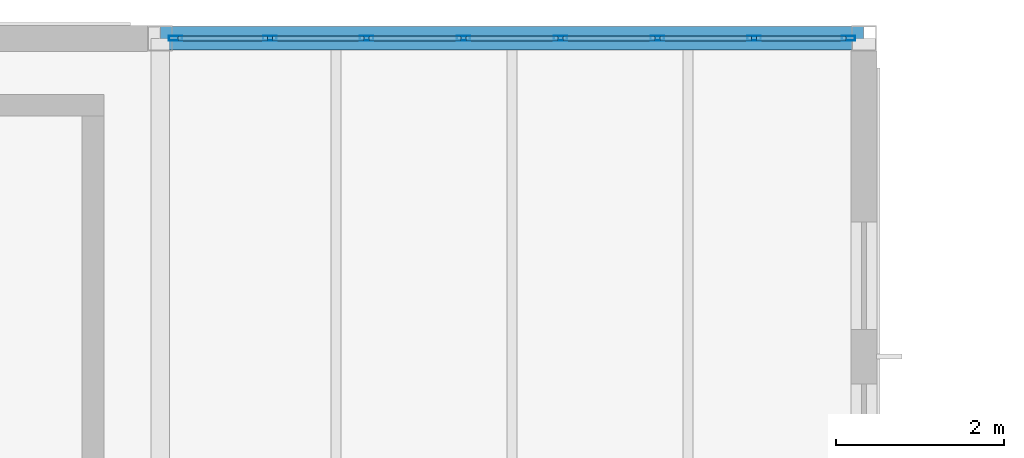
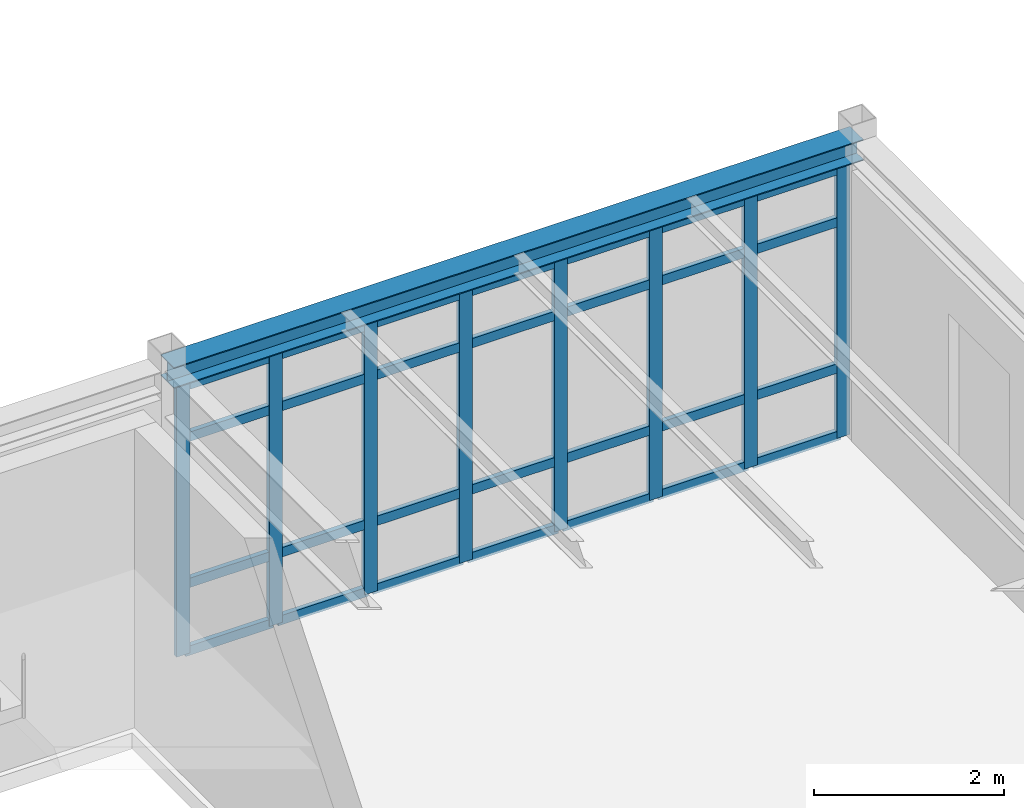
# One storey, part 94 of 165: 36 members, 1 beam, 1 element without a shape of its own.
"""IFC4 building model written with IfcOpenShell, lengths in metres."""

import ifcopenshell
import ifcopenshell.guid

model = None  # the IFC model being written
_history = None  # IfcOwnerHistory: only IFC2X3 demands one
_inside = {}  # id of a spatial element -> (the spatial element, [elements in it])
_under = {}  # id of a project, library or spatial element -> (it, [spatial elements below it])
_declared = {}  # id of a project -> (the project, [libraries it declares])
_typed = {}  # id of a type object -> (the type object, [elements of that type])
_made_of = {}  # id of a material, layer set ... -> (it, [elements and type objects made of it])


def new_model(schema):
    """Start an empty IFC model of exactly this schema.

    Asked for "IFC4X3", IfcOpenShell would pick the latest addendum, in which some entities
    have other attributes; the version numbers below select the first issue.
    IFC2X3 requires an IfcOwnerHistory on every rooted entity: one is made here for all.
    """
    global model, _history
    if schema == "IFC4X3":
        model = ifcopenshell.file(schema_version=(4, 3, 0, 0))
    else:
        model = ifcopenshell.file(schema=schema)
    _inside.clear()
    _under.clear()
    _declared.clear()
    _typed.clear()
    _made_of.clear()
    _history = None
    if model.schema == "IFC2X3":
        org = make("IfcOrganization", Name="unknown")
        user = make(
            "IfcPersonAndOrganization",
            ThePerson=make("IfcPerson", FamilyName="unknown"),
            TheOrganization=org,
        )
        app = make(
            "IfcApplication",
            ApplicationDeveloper=org,
            Version="unknown",
            ApplicationFullName="unknown",
            ApplicationIdentifier="unknown",
        )
        _history = make(
            "IfcOwnerHistory",
            OwningUser=user,
            OwningApplication=app,
            ChangeAction="ADDED",
            CreationDate=0,
        )
    return model


def make(cls, **values):
    """One entity of the class cls with the attributes given. An attribute that is None is left unset."""
    return model.create_entity(
        cls, **{name: value for name, value in values.items() if value is not None}
    )


def rooted(cls, **values):
    """An entity with a GlobalId (a new one), such as an element, a storey or a relation."""
    return make(cls, GlobalId=ifcopenshell.guid.new(), OwnerHistory=_history, **values)


def si_unit(unit_type, name, prefix=None):
    """IfcSIUnit, for example si_unit("LENGTHUNIT", "METRE", prefix="MILLI")."""
    return make("IfcSIUnit", UnitType=unit_type, Prefix=prefix, Name=name)


def assignment(units):
    """IfcUnitAssignment: the units of a project."""
    return None if units is None else make("IfcUnitAssignment", Units=units)


def point(xyz):
    """IfcCartesianPoint."""
    return None if xyz is None else make("IfcCartesianPoint", Coordinates=xyz)


def direction(xyz):
    """IfcDirection."""
    return None if xyz is None else make("IfcDirection", DirectionRatios=xyz)


def frame(location, z_axis=None, x_axis=None):
    """IfcAxis2Placement3D, a coordinate frame: its origin and axes. An axis left out is left unset."""
    return make(
        "IfcAxis2Placement3D",
        Location=point(location),
        Axis=direction(z_axis),
        RefDirection=direction(x_axis),
    )


def frame_2d(location, x_axis=None):
    """IfcAxis2Placement2D, a coordinate frame in the plane: its origin and x axis."""
    return make(
        "IfcAxis2Placement2D", Location=point(location), RefDirection=direction(x_axis)
    )


def origin():
    """The frame at (0, 0, 0) with its axes left unset."""
    return frame((0.0, 0.0, 0.0))


def origin_2d():
    """The frame at (0, 0) in the plane with its x axis left unset."""
    return frame_2d((0.0, 0.0))


def place(relative_to, where):
    """IfcLocalPlacement: puts the frame where relative to a parent placement (None: the world)."""
    return make(
        "IfcLocalPlacement", PlacementRelTo=relative_to, RelativePlacement=where
    )


def context(
    kind, dimensions, precision=None, world=None, true_north=None, identifier=None
):
    """IfcGeometricRepresentationContext, for example the 3D "Model" context."""
    return make(
        "IfcGeometricRepresentationContext",
        ContextIdentifier=identifier,
        ContextType=kind,
        CoordinateSpaceDimension=dimensions,
        Precision=precision,
        WorldCoordinateSystem=world,
        TrueNorth=true_north,
    )


def subcontext(parent, identifier, kind, view, scale=None):
    """IfcGeometricRepresentationSubContext, for example "Body" below "Model"."""
    return make(
        "IfcGeometricRepresentationSubContext",
        ContextIdentifier=identifier,
        ContextType=kind,
        ParentContext=parent,
        TargetScale=scale,
        TargetView=view,
    )


def project(units=None, contexts=None):
    """IfcProject with its units and contexts."""
    return rooted(
        "IfcProject",
        Name="project",
        RepresentationContexts=contexts,
        UnitsInContext=assignment(units),
    )


def spatial(cls, under=None, at=None, **own):
    """A site, building, storey or space (cls), placed at a placement, below another one or the project."""
    s = rooted(cls, ObjectPlacement=at, **own)
    if under is not None:
        _under.setdefault(under.id(), (under, []))[1].append(s)
    return s


def profile(cls, at=None, kind="AREA", **sizes):
    """A parametric profile (cls). Its sizes go by their IFC names, for example OverallWidth=200.0."""
    return make(cls, ProfileType=kind, Position=at, **sizes)


def hollow_rectangle(**sizes):
    """IfcRectangleHollowProfileDef."""
    return profile("IfcRectangleHollowProfileDef", **sizes)


def i_section(**sizes):
    """IfcIShapeProfileDef."""
    return profile("IfcIShapeProfileDef", **sizes)


def extrude(swept, where, along, depth):
    """IfcExtrudedAreaSolid: the profile swept, set in the frame where, extruded along a direction by depth."""
    return make(
        "IfcExtrudedAreaSolid",
        SweptArea=swept,
        Position=where,
        ExtrudedDirection=direction(along),
        Depth=depth,
    )


def shape(context_of_items, identifier, shape_type, items):
    """IfcShapeRepresentation: the items that make up one representation, for example the "Body"."""
    return make(
        "IfcShapeRepresentation",
        ContextOfItems=context_of_items,
        RepresentationIdentifier=identifier,
        RepresentationType=shape_type,
        Items=items,
    )


def material(Name=None, Category=None):
    """IfcMaterial."""
    return make("IfcMaterial", Name=Name, Category=Category)


def layer(
    of_material, thickness, ventilated=None, Name=None, Category=None, Priority=None
):
    """IfcMaterialLayer: one layer of a wall or slab, of a material (None: an air gap)."""
    return make(
        "IfcMaterialLayer",
        Material=of_material,
        LayerThickness=thickness,
        IsVentilated=ventilated,
        Name=Name,
        Category=Category,
        Priority=Priority,
    )


def layer_set(layers, Name=None):
    """IfcMaterialLayerSet."""
    return make("IfcMaterialLayerSet", MaterialLayers=layers, LayerSetName=Name)


def material_profile(
    of_material, cross_section, Name=None, Category=None, Priority=None
):
    """IfcMaterialProfile: a cross section and its material."""
    return make(
        "IfcMaterialProfile",
        Name=Name,
        Material=of_material,
        Profile=cross_section,
        Priority=Priority,
        Category=Category,
    )


def profile_set(profiles, Name=None, composite=None):
    """IfcMaterialProfileSet."""
    return make(
        "IfcMaterialProfileSet",
        Name=Name,
        MaterialProfiles=profiles,
        CompositeProfile=composite,
    )


def made_of(thing, what):
    """Note that an element or type object is made of a material, layer set ...; save() writes the relation."""
    if what is not None:
        _made_of.setdefault(what.id(), (what, []))[1].append(thing)
    return thing


def type_object(cls, material=None, **own):
    """A type object (cls), such as IfcWallType, which elements share."""
    return made_of(rooted(cls, **own), material)


def element(
    cls,
    number,
    at=None,
    inside=None,
    cuts=None,
    type_object=None,
    material=None,
    context=None,
    identifier="Body",
    shape_type=None,
    held_by="IfcProductDefinitionShape",
    body=None,
    shapes=None,
    **own,
):
    """One element of the class cls, such as IfcWall. Its Tag is "e" and its number.

    at: its placement. inside: the storey or other place that contains it. cuts: it is an
    opening in that element (IfcRelVoidsElement). A single representation is given by context,
    identifier, shape_type and body (its items); several are given by shapes. held_by: the class
    of the entity that holds the representations. save() writes the other relations.
    """
    e = rooted(cls, Tag="e%d" % number, ObjectPlacement=at, **own)
    if body is not None:
        shapes = [shape(context, identifier, shape_type, body)]
    if shapes is not None:
        e.Representation = make(held_by, Representations=shapes)
    if inside is not None:
        _inside.setdefault(inside.id(), (inside, []))[1].append(e)
    if cuts is not None:
        rooted(
            "IfcRelVoidsElement", RelatingBuildingElement=cuts, RelatedOpeningElement=e
        )
    if type_object is not None:
        _typed.setdefault(type_object.id(), (type_object, []))[1].append(e)
    return made_of(e, material)


def aggregate(whole, parts):
    """IfcRelAggregates: a whole, such as a stair, and the parts it consists of."""
    return rooted("IfcRelAggregates", RelatingObject=whole, RelatedObjects=parts)


def save(model, path):
    """Write the relations noted so far, then the file.

    IfcRelAggregates (storeys below a building ...), IfcRelContainedInSpatialStructure (elements
    in a storey), IfcRelDefinesByType, IfcRelAssociatesMaterial and IfcRelDeclares: one each for
    every whole, place, type object, material and project.
    """
    for whole, parts in _under.values():
        aggregate(whole, parts)
    for where, things in _inside.values():
        rooted(
            "IfcRelContainedInSpatialStructure",
            RelatedElements=things,
            RelatingStructure=where,
        )
    for kind, things in _typed.values():
        rooted("IfcRelDefinesByType", RelatedObjects=things, RelatingType=kind)
    for what, things in _made_of.values():
        rooted("IfcRelAssociatesMaterial", RelatedObjects=things, RelatingMaterial=what)
    for by, libraries in _declared.values():
        rooted("IfcRelDeclares", RelatingContext=by, RelatedDefinitions=libraries)
    model.write(path)


model = new_model("IFC4")

# Units and contexts
model_context = context("Model", 3, precision=1e-05, world=origin(), true_north=direction((0.0, 1.0)))
body_context = subcontext(model_context, "Body", "Model", "MODEL_VIEW")
ifc_project = project(units=[si_unit("LENGTHUNIT", "METRE"), si_unit("AREAUNIT", "SQUARE_METRE"), si_unit("VOLUMEUNIT", "CUBIC_METRE"), si_unit("PLANEANGLEUNIT", "RADIAN"), si_unit("MASSUNIT", "GRAM", prefix="KILO")], contexts=[model_context])

# Site, building, storey
site_placement = place(None, origin())
site = spatial("IfcSite", under=ifc_project, at=site_placement, CompositionType="ELEMENT")
building_placement = place(site_placement, origin())
building = spatial("IfcBuilding", under=site, at=building_placement, Name="Montecoro Central Library", CompositionType="ELEMENT")
storey_placement = place(building_placement, frame((0.0, 0.0, 5.10009765625)))
storey = spatial("IfcBuildingStorey", under=building, at=storey_placement, Name="L01", CompositionType="ELEMENT", Elevation=5.10009765625)

# Beam
ifc_material_1 = material(Name="Steel S355", Category="steel")
ifc_material_profile_1 = material_profile(ifc_material_1, i_section(OverallWidth=0.280029296875, OverallDepth=0.27001953125, WebThickness=0.008056640625, FlangeThickness=0.012939453125, at=origin_2d()), Name="HEA 280")
ifc_profile_set_1 = profile_set([ifc_material_profile_1], Name="Steel S355")
beam_type = type_object("IfcBeamType", Name="BM-SP-HEA280", PredefinedType="SPANDREL", material=ifc_profile_set_1)
beam_placement = place(storey_placement, frame((108.405029296875, 119.0, 3.68994140625), z_axis=(1.0, 0.0, 0.0), x_axis=(0.0, 1.0, 0.0)))
element("IfcBeam", 1, at=beam_placement, inside=storey, type_object=beam_type, Name="V2-L01-BX-1415-R", PredefinedType="SPANDREL", context=body_context, shape_type="SweptSolid", body=[
    extrude(i_section(OverallWidth=0.280029296875, OverallDepth=0.27001953125, WebThickness=0.008056640625, FlangeThickness=0.012939453125, at=origin_2d()), origin(), (0.0, 0.0, 1.0), 8.389892578125),
])

# Curtain wall, members
ifc_material_2 = material(Name="Bronze-anodised aluminium and low-E glazing", Category="aluminium")
ifc_layer = layer(ifc_material_2, 0.159912109375)
ifc_layer_set = layer_set([ifc_layer], Name="Bronze-anodised aluminium and low-E glazing")
curtain_wall_type = type_object("IfcCurtainWallType", Name="CWT-012", PredefinedType="NOTDEFINED", material=ifc_layer_set)
curtain_wall_placement = place(storey_placement, origin())
curtain_wall = element("IfcCurtainWall", 2, at=curtain_wall_placement, inside=storey, type_object=curtain_wall_type, Name="V2-L01-CW-N5", PredefinedType="NOTDEFINED")
ifc_material_3 = material(Name="Bronze-anodised aluminium", Category="aluminium")
ifc_material_profile_2 = material_profile(ifc_material_3, hollow_rectangle(XDim=0.06005859375, YDim=0.159912109375, WallThickness=0.00390625, at=origin_2d()), Name="CWM 160x60x4.0")
ifc_profile_set_2 = profile_set([ifc_material_profile_2], Name="Bronze-anodised aluminium")
member_type_1 = type_object("IfcMemberType", Name="CWM-BRZ-60", PredefinedType="MULLION", material=ifc_profile_set_2)
member_1_placement = place(storey_placement, frame((116.616943359375, 119.0, 0.0), z_axis=(0.0, 0.0, 1.0), x_axis=(0.0, -1.0, 0.0)))
member_1 = element("IfcMember", 3, at=member_1_placement, type_object=member_type_1, Name="CW-012 mullion 1", PredefinedType="MULLION", context=body_context, shape_type="SweptSolid", body=[
    extrude(hollow_rectangle(XDim=0.06005859375, YDim=0.159912109375, WallThickness=0.00390625, at=origin_2d()), origin(), (0.0, 0.0, 1.0), 3.47998046875),
])
member_2_placement = place(storey_placement, frame((115.49072265625, 119.0, 0.0), z_axis=(0.0, 0.0, 1.0), x_axis=(0.0, -1.0, 0.0)))
member_2 = element("IfcMember", 4, at=member_2_placement, type_object=member_type_1, Name="CW-012 mullion 2", PredefinedType="MULLION", context=body_context, shape_type="SweptSolid", body=[
    extrude(hollow_rectangle(XDim=0.06005859375, YDim=0.159912109375, WallThickness=0.00390625, at=origin_2d()), origin(), (0.0, 0.0, 1.0), 3.47998046875),
])
member_3_placement = place(storey_placement, frame((114.33447265625, 119.0, 0.0), z_axis=(0.0, 0.0, 1.0), x_axis=(0.0, -1.0, 0.0)))
member_3 = element("IfcMember", 5, at=member_3_placement, type_object=member_type_1, Name="CW-012 mullion 3", PredefinedType="MULLION", context=body_context, shape_type="SweptSolid", body=[
    extrude(hollow_rectangle(XDim=0.06005859375, YDim=0.159912109375, WallThickness=0.00390625, at=origin_2d()), origin(), (0.0, 0.0, 1.0), 3.47998046875),
])
member_4_placement = place(storey_placement, frame((113.17822265625, 119.0, 0.0), z_axis=(0.0, 0.0, 1.0), x_axis=(0.0, -1.0, 0.0)))
member_4 = element("IfcMember", 6, at=member_4_placement, type_object=member_type_1, Name="CW-012 mullion 4", PredefinedType="MULLION", context=body_context, shape_type="SweptSolid", body=[
    extrude(hollow_rectangle(XDim=0.06005859375, YDim=0.159912109375, WallThickness=0.00390625, at=origin_2d()), origin(), (0.0, 0.0, 1.0), 3.47998046875),
])
member_5_placement = place(storey_placement, frame((112.02197265625, 119.0, 0.0), z_axis=(0.0, 0.0, 1.0), x_axis=(0.0, -1.0, 0.0)))
member_5 = element("IfcMember", 7, at=member_5_placement, type_object=member_type_1, Name="CW-012 mullion 5", PredefinedType="MULLION", context=body_context, shape_type="SweptSolid", body=[
    extrude(hollow_rectangle(XDim=0.06005859375, YDim=0.159912109375, WallThickness=0.00390625, at=origin_2d()), origin(), (0.0, 0.0, 1.0), 3.47998046875),
])
member_6_placement = place(storey_placement, frame((110.865478515625, 119.0, 0.0), z_axis=(0.0, 0.0, 1.0), x_axis=(0.0, -1.0, 0.0)))
member_6 = element("IfcMember", 8, at=member_6_placement, type_object=member_type_1, Name="CW-012 mullion 6", PredefinedType="MULLION", context=body_context, shape_type="SweptSolid", body=[
    extrude(hollow_rectangle(XDim=0.06005859375, YDim=0.159912109375, WallThickness=0.00390625, at=origin_2d()), origin(), (0.0, 0.0, 1.0), 3.47998046875),
])
member_7_placement = place(storey_placement, frame((109.709228515625, 119.0, 0.0), z_axis=(0.0, 0.0, 1.0), x_axis=(0.0, -1.0, 0.0)))
member_7 = element("IfcMember", 9, at=member_7_placement, type_object=member_type_1, Name="CW-012 mullion 7", PredefinedType="MULLION", context=body_context, shape_type="SweptSolid", body=[
    extrude(hollow_rectangle(XDim=0.06005859375, YDim=0.159912109375, WallThickness=0.00390625, at=origin_2d()), origin(), (0.0, 0.0, 1.0), 3.47998046875),
])
member_8_placement = place(storey_placement, frame((108.5830078125, 119.0, 0.0), z_axis=(0.0, 0.0, 1.0), x_axis=(0.0, -1.0, 0.0)))
member_8 = element("IfcMember", 10, at=member_8_placement, type_object=member_type_1, Name="CW-012 mullion 8", PredefinedType="MULLION", context=body_context, shape_type="SweptSolid", body=[
    extrude(hollow_rectangle(XDim=0.06005859375, YDim=0.159912109375, WallThickness=0.00390625, at=origin_2d()), origin(), (0.0, 0.0, 1.0), 3.47998046875),
])
ifc_material_profile_3 = material_profile(ifc_material_3, hollow_rectangle(XDim=0.06005859375, YDim=0.1201171875, WallThickness=0.00390625, at=origin_2d()), Name="CWT 120x60x4.0")
ifc_profile_set_3 = profile_set([ifc_material_profile_3], Name="Bronze-anodised aluminium")
member_type_2 = type_object("IfcMemberType", Name="CWT-BRZ-60", PredefinedType="USERDEFINED", material=ifc_profile_set_3)
member_9_placement = place(storey_placement, frame((116.5869140625, 119.0, 0.02978515625), z_axis=(-1.0, 0.0, 0.0), x_axis=(0.0, -1.0, 0.0)))
member_9 = element("IfcMember", 11, at=member_9_placement, type_object=member_type_2, Name="CW-012 transom 1.1", ObjectType="TRANSOM", PredefinedType="USERDEFINED", context=body_context, shape_type="SweptSolid", body=[
    extrude(hollow_rectangle(XDim=0.06005859375, YDim=0.1201171875, WallThickness=0.00390625, at=origin_2d()), origin(), (0.0, 0.0, 1.0), 1.066162109375),
])
member_10_placement = place(storey_placement, frame((116.5869140625, 119.0, 0.89990234375), z_axis=(-1.0, 0.0, 0.0), x_axis=(0.0, -1.0, 0.0)))
member_10 = element("IfcMember", 12, at=member_10_placement, type_object=member_type_2, Name="CW-012 transom 1.2", ObjectType="TRANSOM", PredefinedType="USERDEFINED", context=body_context, shape_type="SweptSolid", body=[
    extrude(hollow_rectangle(XDim=0.06005859375, YDim=0.1201171875, WallThickness=0.00390625, at=origin_2d()), origin(), (0.0, 0.0, 1.0), 1.066162109375),
])
member_11_placement = place(storey_placement, frame((116.5869140625, 119.0, 2.77978515625), z_axis=(-1.0, 0.0, 0.0), x_axis=(0.0, -1.0, 0.0)))
member_11 = element("IfcMember", 13, at=member_11_placement, type_object=member_type_2, Name="CW-012 transom 1.3", ObjectType="TRANSOM", PredefinedType="USERDEFINED", context=body_context, shape_type="SweptSolid", body=[
    extrude(hollow_rectangle(XDim=0.06005859375, YDim=0.1201171875, WallThickness=0.00390625, at=origin_2d()), origin(), (0.0, 0.0, 1.0), 1.066162109375),
])
member_12_placement = place(storey_placement, frame((116.5869140625, 119.0, 3.449951171875), z_axis=(-1.0, 0.0, 0.0), x_axis=(0.0, -1.0, 0.0)))
member_12 = element("IfcMember", 14, at=member_12_placement, type_object=member_type_2, Name="CW-012 transom 1.4", ObjectType="TRANSOM", PredefinedType="USERDEFINED", context=body_context, shape_type="SweptSolid", body=[
    extrude(hollow_rectangle(XDim=0.06005859375, YDim=0.1201171875, WallThickness=0.00390625, at=origin_2d()), origin(), (0.0, 0.0, 1.0), 1.066162109375),
])
member_13_placement = place(storey_placement, frame((115.460693359375, 119.0, 0.02978515625), z_axis=(-1.0, 0.0, 0.0), x_axis=(0.0, -1.0, 0.0)))
member_13 = element("IfcMember", 15, at=member_13_placement, type_object=member_type_2, Name="CW-012 transom 2.1", ObjectType="TRANSOM", PredefinedType="USERDEFINED", context=body_context, shape_type="SweptSolid", body=[
    extrude(hollow_rectangle(XDim=0.06005859375, YDim=0.1201171875, WallThickness=0.00390625, at=origin_2d()), origin(), (0.0, 0.0, 1.0), 1.09619140625),
])
member_14_placement = place(storey_placement, frame((115.460693359375, 119.0, 0.89990234375), z_axis=(-1.0, 0.0, 0.0), x_axis=(0.0, -1.0, 0.0)))
member_14 = element("IfcMember", 16, at=member_14_placement, type_object=member_type_2, Name="CW-012 transom 2.2", ObjectType="TRANSOM", PredefinedType="USERDEFINED", context=body_context, shape_type="SweptSolid", body=[
    extrude(hollow_rectangle(XDim=0.06005859375, YDim=0.1201171875, WallThickness=0.00390625, at=origin_2d()), origin(), (0.0, 0.0, 1.0), 1.09619140625),
])
member_15_placement = place(storey_placement, frame((115.460693359375, 119.0, 2.77978515625), z_axis=(-1.0, 0.0, 0.0), x_axis=(0.0, -1.0, 0.0)))
member_15 = element("IfcMember", 17, at=member_15_placement, type_object=member_type_2, Name="CW-012 transom 2.3", ObjectType="TRANSOM", PredefinedType="USERDEFINED", context=body_context, shape_type="SweptSolid", body=[
    extrude(hollow_rectangle(XDim=0.06005859375, YDim=0.1201171875, WallThickness=0.00390625, at=origin_2d()), origin(), (0.0, 0.0, 1.0), 1.09619140625),
])
member_16_placement = place(storey_placement, frame((115.460693359375, 119.0, 3.449951171875), z_axis=(-1.0, 0.0, 0.0), x_axis=(0.0, -1.0, 0.0)))
member_16 = element("IfcMember", 18, at=member_16_placement, type_object=member_type_2, Name="CW-012 transom 2.4", ObjectType="TRANSOM", PredefinedType="USERDEFINED", context=body_context, shape_type="SweptSolid", body=[
    extrude(hollow_rectangle(XDim=0.06005859375, YDim=0.1201171875, WallThickness=0.00390625, at=origin_2d()), origin(), (0.0, 0.0, 1.0), 1.09619140625),
])
member_17_placement = place(storey_placement, frame((114.304443359375, 119.0, 0.02978515625), z_axis=(-1.0, 0.0, 0.0), x_axis=(0.0, -1.0, 0.0)))
member_17 = element("IfcMember", 19, at=member_17_placement, type_object=member_type_2, Name="CW-012 transom 3.1", ObjectType="TRANSOM", PredefinedType="USERDEFINED", context=body_context, shape_type="SweptSolid", body=[
    extrude(hollow_rectangle(XDim=0.06005859375, YDim=0.1201171875, WallThickness=0.00390625, at=origin_2d()), origin(), (0.0, 0.0, 1.0), 1.09619140625),
])
member_18_placement = place(storey_placement, frame((114.304443359375, 119.0, 0.89990234375), z_axis=(-1.0, 0.0, 0.0), x_axis=(0.0, -1.0, 0.0)))
member_18 = element("IfcMember", 20, at=member_18_placement, type_object=member_type_2, Name="CW-012 transom 3.2", ObjectType="TRANSOM", PredefinedType="USERDEFINED", context=body_context, shape_type="SweptSolid", body=[
    extrude(hollow_rectangle(XDim=0.06005859375, YDim=0.1201171875, WallThickness=0.00390625, at=origin_2d()), origin(), (0.0, 0.0, 1.0), 1.09619140625),
])
member_19_placement = place(storey_placement, frame((114.304443359375, 119.0, 2.77978515625), z_axis=(-1.0, 0.0, 0.0), x_axis=(0.0, -1.0, 0.0)))
member_19 = element("IfcMember", 21, at=member_19_placement, type_object=member_type_2, Name="CW-012 transom 3.3", ObjectType="TRANSOM", PredefinedType="USERDEFINED", context=body_context, shape_type="SweptSolid", body=[
    extrude(hollow_rectangle(XDim=0.06005859375, YDim=0.1201171875, WallThickness=0.00390625, at=origin_2d()), origin(), (0.0, 0.0, 1.0), 1.09619140625),
])
member_20_placement = place(storey_placement, frame((114.304443359375, 119.0, 3.449951171875), z_axis=(-1.0, 0.0, 0.0), x_axis=(0.0, -1.0, 0.0)))
member_20 = element("IfcMember", 22, at=member_20_placement, type_object=member_type_2, Name="CW-012 transom 3.4", ObjectType="TRANSOM", PredefinedType="USERDEFINED", context=body_context, shape_type="SweptSolid", body=[
    extrude(hollow_rectangle(XDim=0.06005859375, YDim=0.1201171875, WallThickness=0.00390625, at=origin_2d()), origin(), (0.0, 0.0, 1.0), 1.09619140625),
])
member_21_placement = place(storey_placement, frame((113.148193359375, 119.0, 0.02978515625), z_axis=(-1.0, 0.0, 0.0), x_axis=(0.0, -1.0, 0.0)))
member_21 = element("IfcMember", 23, at=member_21_placement, type_object=member_type_2, Name="CW-012 transom 4.1", ObjectType="TRANSOM", PredefinedType="USERDEFINED", context=body_context, shape_type="SweptSolid", body=[
    extrude(hollow_rectangle(XDim=0.06005859375, YDim=0.1201171875, WallThickness=0.00390625, at=origin_2d()), origin(), (0.0, 0.0, 1.0), 1.096435546875),
])
member_22_placement = place(storey_placement, frame((113.148193359375, 119.0, 0.89990234375), z_axis=(-1.0, 0.0, 0.0), x_axis=(0.0, -1.0, 0.0)))
member_22 = element("IfcMember", 24, at=member_22_placement, type_object=member_type_2, Name="CW-012 transom 4.2", ObjectType="TRANSOM", PredefinedType="USERDEFINED", context=body_context, shape_type="SweptSolid", body=[
    extrude(hollow_rectangle(XDim=0.06005859375, YDim=0.1201171875, WallThickness=0.00390625, at=origin_2d()), origin(), (0.0, 0.0, 1.0), 1.096435546875),
])
member_23_placement = place(storey_placement, frame((113.148193359375, 119.0, 2.77978515625), z_axis=(-1.0, 0.0, 0.0), x_axis=(0.0, -1.0, 0.0)))
member_23 = element("IfcMember", 25, at=member_23_placement, type_object=member_type_2, Name="CW-012 transom 4.3", ObjectType="TRANSOM", PredefinedType="USERDEFINED", context=body_context, shape_type="SweptSolid", body=[
    extrude(hollow_rectangle(XDim=0.06005859375, YDim=0.1201171875, WallThickness=0.00390625, at=origin_2d()), origin(), (0.0, 0.0, 1.0), 1.096435546875),
])
member_24_placement = place(storey_placement, frame((113.148193359375, 119.0, 3.449951171875), z_axis=(-1.0, 0.0, 0.0), x_axis=(0.0, -1.0, 0.0)))
member_24 = element("IfcMember", 26, at=member_24_placement, type_object=member_type_2, Name="CW-012 transom 4.4", ObjectType="TRANSOM", PredefinedType="USERDEFINED", context=body_context, shape_type="SweptSolid", body=[
    extrude(hollow_rectangle(XDim=0.06005859375, YDim=0.1201171875, WallThickness=0.00390625, at=origin_2d()), origin(), (0.0, 0.0, 1.0), 1.096435546875),
])
member_25_placement = place(storey_placement, frame((111.991943359375, 119.0, 0.02978515625), z_axis=(-1.0, 0.0, 0.0), x_axis=(0.0, -1.0, 0.0)))
member_25 = element("IfcMember", 27, at=member_25_placement, type_object=member_type_2, Name="CW-012 transom 5.1", ObjectType="TRANSOM", PredefinedType="USERDEFINED", context=body_context, shape_type="SweptSolid", body=[
    extrude(hollow_rectangle(XDim=0.06005859375, YDim=0.1201171875, WallThickness=0.00390625, at=origin_2d()), origin(), (0.0, 0.0, 1.0), 1.096435546875),
])
member_26_placement = place(storey_placement, frame((111.991943359375, 119.0, 0.89990234375), z_axis=(-1.0, 0.0, 0.0), x_axis=(0.0, -1.0, 0.0)))
member_26 = element("IfcMember", 28, at=member_26_placement, type_object=member_type_2, Name="CW-012 transom 5.2", ObjectType="TRANSOM", PredefinedType="USERDEFINED", context=body_context, shape_type="SweptSolid", body=[
    extrude(hollow_rectangle(XDim=0.06005859375, YDim=0.1201171875, WallThickness=0.00390625, at=origin_2d()), origin(), (0.0, 0.0, 1.0), 1.096435546875),
])
member_27_placement = place(storey_placement, frame((111.991943359375, 119.0, 2.77978515625), z_axis=(-1.0, 0.0, 0.0), x_axis=(0.0, -1.0, 0.0)))
member_27 = element("IfcMember", 29, at=member_27_placement, type_object=member_type_2, Name="CW-012 transom 5.3", ObjectType="TRANSOM", PredefinedType="USERDEFINED", context=body_context, shape_type="SweptSolid", body=[
    extrude(hollow_rectangle(XDim=0.06005859375, YDim=0.1201171875, WallThickness=0.00390625, at=origin_2d()), origin(), (0.0, 0.0, 1.0), 1.096435546875),
])
member_28_placement = place(storey_placement, frame((111.991943359375, 119.0, 3.449951171875), z_axis=(-1.0, 0.0, 0.0), x_axis=(0.0, -1.0, 0.0)))
member_28 = element("IfcMember", 30, at=member_28_placement, type_object=member_type_2, Name="CW-012 transom 5.4", ObjectType="TRANSOM", PredefinedType="USERDEFINED", context=body_context, shape_type="SweptSolid", body=[
    extrude(hollow_rectangle(XDim=0.06005859375, YDim=0.1201171875, WallThickness=0.00390625, at=origin_2d()), origin(), (0.0, 0.0, 1.0), 1.096435546875),
])
member_29_placement = place(storey_placement, frame((110.835693359375, 119.0, 0.02978515625), z_axis=(-1.0, 0.0, 0.0), x_axis=(0.0, -1.0, 0.0)))
member_29 = element("IfcMember", 31, at=member_29_placement, type_object=member_type_2, Name="CW-012 transom 6.1", ObjectType="TRANSOM", PredefinedType="USERDEFINED", context=body_context, shape_type="SweptSolid", body=[
    extrude(hollow_rectangle(XDim=0.06005859375, YDim=0.1201171875, WallThickness=0.00390625, at=origin_2d()), origin(), (0.0, 0.0, 1.0), 1.096435546875),
])
member_30_placement = place(storey_placement, frame((110.835693359375, 119.0, 0.89990234375), z_axis=(-1.0, 0.0, 0.0), x_axis=(0.0, -1.0, 0.0)))
member_30 = element("IfcMember", 32, at=member_30_placement, type_object=member_type_2, Name="CW-012 transom 6.2", ObjectType="TRANSOM", PredefinedType="USERDEFINED", context=body_context, shape_type="SweptSolid", body=[
    extrude(hollow_rectangle(XDim=0.06005859375, YDim=0.1201171875, WallThickness=0.00390625, at=origin_2d()), origin(), (0.0, 0.0, 1.0), 1.096435546875),
])
member_31_placement = place(storey_placement, frame((110.835693359375, 119.0, 2.77978515625), z_axis=(-1.0, 0.0, 0.0), x_axis=(0.0, -1.0, 0.0)))
member_31 = element("IfcMember", 33, at=member_31_placement, type_object=member_type_2, Name="CW-012 transom 6.3", ObjectType="TRANSOM", PredefinedType="USERDEFINED", context=body_context, shape_type="SweptSolid", body=[
    extrude(hollow_rectangle(XDim=0.06005859375, YDim=0.1201171875, WallThickness=0.00390625, at=origin_2d()), origin(), (0.0, 0.0, 1.0), 1.096435546875),
])
member_32_placement = place(storey_placement, frame((110.835693359375, 119.0, 3.449951171875), z_axis=(-1.0, 0.0, 0.0), x_axis=(0.0, -1.0, 0.0)))
member_32 = element("IfcMember", 34, at=member_32_placement, type_object=member_type_2, Name="CW-012 transom 6.4", ObjectType="TRANSOM", PredefinedType="USERDEFINED", context=body_context, shape_type="SweptSolid", body=[
    extrude(hollow_rectangle(XDim=0.06005859375, YDim=0.1201171875, WallThickness=0.00390625, at=origin_2d()), origin(), (0.0, 0.0, 1.0), 1.096435546875),
])
member_33_placement = place(storey_placement, frame((109.67919921875, 119.0, 0.02978515625), z_axis=(-1.0, 0.0, 0.0), x_axis=(0.0, -1.0, 0.0)))
member_33 = element("IfcMember", 35, at=member_33_placement, type_object=member_type_2, Name="CW-012 transom 7.1", ObjectType="TRANSOM", PredefinedType="USERDEFINED", context=body_context, shape_type="SweptSolid", body=[
    extrude(hollow_rectangle(XDim=0.06005859375, YDim=0.1201171875, WallThickness=0.00390625, at=origin_2d()), origin(), (0.0, 0.0, 1.0), 1.066162109375),
])
member_34_placement = place(storey_placement, frame((109.67919921875, 119.0, 0.89990234375), z_axis=(-1.0, 0.0, 0.0), x_axis=(0.0, -1.0, 0.0)))
member_34 = element("IfcMember", 36, at=member_34_placement, type_object=member_type_2, Name="CW-012 transom 7.2", ObjectType="TRANSOM", PredefinedType="USERDEFINED", context=body_context, shape_type="SweptSolid", body=[
    extrude(hollow_rectangle(XDim=0.06005859375, YDim=0.1201171875, WallThickness=0.00390625, at=origin_2d()), origin(), (0.0, 0.0, 1.0), 1.066162109375),
])
member_35_placement = place(storey_placement, frame((109.67919921875, 119.0, 2.77978515625), z_axis=(-1.0, 0.0, 0.0), x_axis=(0.0, -1.0, 0.0)))
member_35 = element("IfcMember", 37, at=member_35_placement, type_object=member_type_2, Name="CW-012 transom 7.3", ObjectType="TRANSOM", PredefinedType="USERDEFINED", context=body_context, shape_type="SweptSolid", body=[
    extrude(hollow_rectangle(XDim=0.06005859375, YDim=0.1201171875, WallThickness=0.00390625, at=origin_2d()), origin(), (0.0, 0.0, 1.0), 1.066162109375),
])
member_36_placement = place(storey_placement, frame((109.67919921875, 119.0, 3.449951171875), z_axis=(-1.0, 0.0, 0.0), x_axis=(0.0, -1.0, 0.0)))
member_36 = element("IfcMember", 38, at=member_36_placement, type_object=member_type_2, Name="CW-012 transom 7.4", ObjectType="TRANSOM", PredefinedType="USERDEFINED", context=body_context, shape_type="SweptSolid", body=[
    extrude(hollow_rectangle(XDim=0.06005859375, YDim=0.1201171875, WallThickness=0.00390625, at=origin_2d()), origin(), (0.0, 0.0, 1.0), 1.066162109375),
])
aggregate(curtain_wall, [member_1, member_2, member_3, member_4, member_5, member_6, member_7, member_8, member_9, member_10, member_11, member_12, member_13, member_14, member_15, member_16, member_17, member_18, member_19, member_20, member_21, member_22, member_23, member_24, member_25, member_26, member_27, member_28, member_29, member_30, member_31, member_32, member_33, member_34, member_35, member_36])

save(model, "model.ifc")
